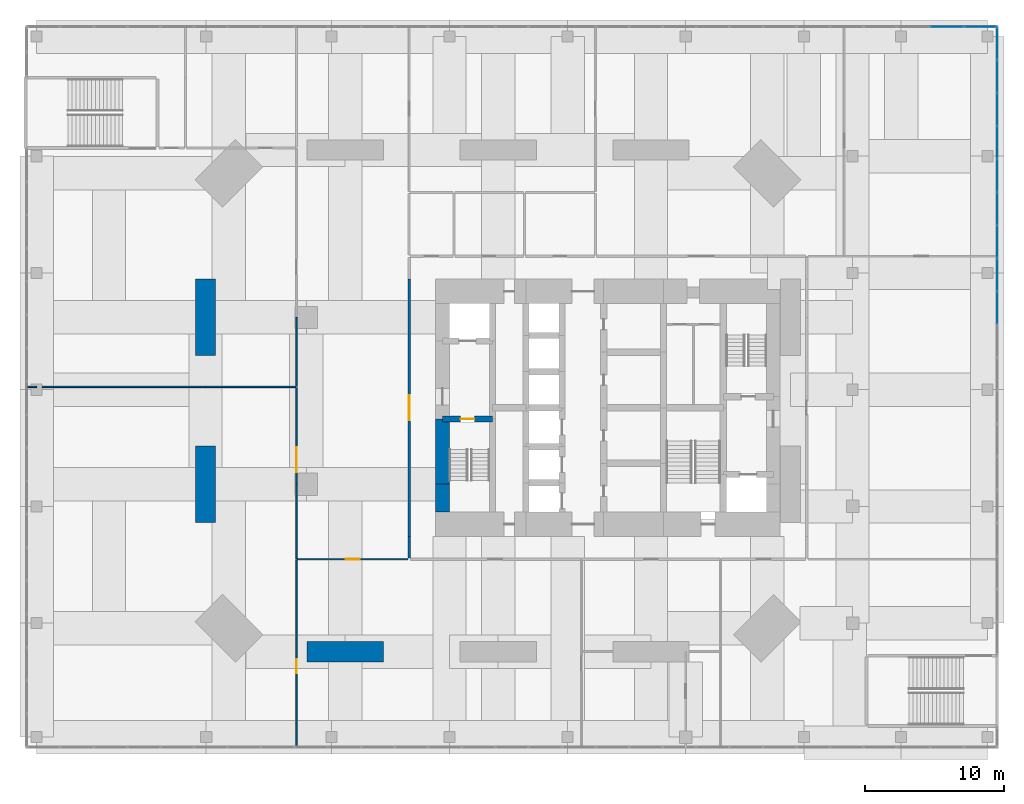
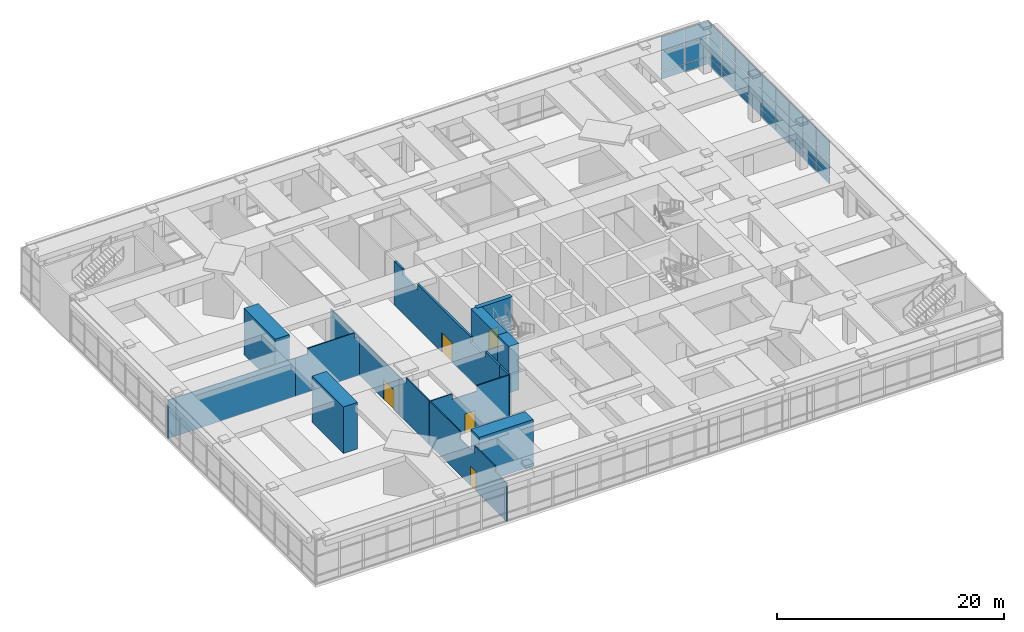
# One storey, part 17 of 22: 33 plates, 16 walls, 5 doors, 5 openings, 2 elements without a shape of their own.
"""IFC4 building model written with IfcOpenShell, lengths in metres."""

from ifc_helpers import new_model, si_unit, direction, frame, frame_2d, origin, origin_2d, place, context, subcontext, project, spatial, polyline, rectangle, outline, extrude, material, layer, layer_set, constituent, constituent_set, type_object, element, fill, aggregate, save


model = new_model("IFC4")

# Units and contexts
model_context = context("Model", 3, precision=1e-05, world=origin(), true_north=direction((0.0, 1.0)))
body_context = subcontext(model_context, "Body", "Model", "MODEL_VIEW")
ifc_project = project(units=[si_unit("LENGTHUNIT", "METRE"), si_unit("AREAUNIT", "SQUARE_METRE"), si_unit("VOLUMEUNIT", "CUBIC_METRE"), si_unit("PLANEANGLEUNIT", "RADIAN"), si_unit("MASSUNIT", "GRAM", prefix="KILO")], contexts=[model_context])

# Site, building, storey
site_placement = place(None, origin())
site = spatial("IfcSite", under=ifc_project, at=site_placement, CompositionType="ELEMENT")
building_placement = place(site_placement, origin())
building = spatial("IfcBuilding", under=site, at=building_placement, Name="Jalousie Tower", CompositionType="ELEMENT")
storey_placement = place(building_placement, frame((0.0, 0.0, 6.0)))
storey = spatial("IfcBuildingStorey", under=building, at=storey_placement, Name="L01", CompositionType="ELEMENT", Elevation=6.0)

# Curtain wall, plates
ifc_material_1 = material(Name="Aluminium curtain wall", Category="aluminium")
curtain_wall_type = type_object("IfcCurtainWallType", Name="PODIUM WINDOW WALL", PredefinedType="USERDEFINED", material=ifc_material_1)
curtain_wall_1_placement = place(storey_placement, origin())
curtain_wall_1 = element("IfcCurtainWall", 1, at=curtain_wall_1_placement, inside=storey, type_object=curtain_wall_type, Name="Podium Window Wall L01 13", ObjectType="PODIUM WINDOW WALL", PredefinedType="USERDEFINED")
ifc_material_2 = material(Name="Laminated impact-rated glass", Category="glass")
ifc_layer_1 = layer(ifc_material_2, 0.030029296875)
ifc_layer_set_1 = layer_set([ifc_layer_1], Name="Laminated impact-rated glass")
plate_type = type_object("IfcPlateType", Name="PODIUM WINDOW WALL PANEL", PredefinedType="CURTAIN_PANEL", material=ifc_layer_set_1)
plate_1_placement = place(storey_placement, frame((59.91259765625, 25.685791015625, 0.070068359375), z_axis=(0.0, 0.0, 1.0), x_axis=(0.0, 1.0, 0.0)))
plate_1 = element("IfcPlate", 2, at=plate_1_placement, type_object=plate_type, Name="CW-P panel 11.1", PredefinedType="CURTAIN_PANEL", context=body_context, shape_type="SweptSolid", body=[
    extrude(rectangle(XDim=2.3095703125, YDim=0.030029296875, at=origin_2d()), origin(), (0.0, 0.0, 1.0), 0.794921875),
])
plate_2_placement = place(storey_placement, frame((59.91259765625, 25.685791015625, 0.93505859375), z_axis=(0.0, 0.0, 1.0), x_axis=(0.0, 1.0, 0.0)))
plate_2 = element("IfcPlate", 3, at=plate_2_placement, type_object=plate_type, Name="CW-P panel 11.2", PredefinedType="CURTAIN_PANEL", context=body_context, shape_type="SweptSolid", body=[
    extrude(rectangle(XDim=2.3095703125, YDim=0.030029296875, at=origin_2d()), origin(), (0.0, 0.0, 1.0), 2.030029296875),
])
plate_3_placement = place(storey_placement, frame((59.91259765625, 25.685791015625, 3.03515625), z_axis=(0.0, 0.0, 1.0), x_axis=(0.0, 1.0, 0.0)))
plate_3 = element("IfcPlate", 4, at=plate_3_placement, type_object=plate_type, Name="CW-P panel 11.3", PredefinedType="CURTAIN_PANEL", context=body_context, shape_type="SweptSolid", body=[
    extrude(rectangle(XDim=2.3095703125, YDim=0.030029296875, at=origin_2d()), origin(), (0.0, 0.0, 1.0), 1.614990234375),
])
plate_4_placement = place(storey_placement, frame((59.91259765625, 28.0654296875, 0.070068359375), z_axis=(0.0, 0.0, 1.0), x_axis=(0.0, 1.0, 0.0)))
plate_4 = element("IfcPlate", 5, at=plate_4_placement, type_object=plate_type, Name="CW-P panel 12.1", PredefinedType="CURTAIN_PANEL", context=body_context, shape_type="SweptSolid", body=[
    extrude(rectangle(XDim=2.3095703125, YDim=0.030029296875, at=origin_2d()), origin(), (0.0, 0.0, 1.0), 0.794921875),
])
plate_5_placement = place(storey_placement, frame((59.91259765625, 28.0654296875, 0.93505859375), z_axis=(0.0, 0.0, 1.0), x_axis=(0.0, 1.0, 0.0)))
plate_5 = element("IfcPlate", 6, at=plate_5_placement, type_object=plate_type, Name="CW-P panel 12.2", PredefinedType="CURTAIN_PANEL", context=body_context, shape_type="SweptSolid", body=[
    extrude(rectangle(XDim=2.3095703125, YDim=0.030029296875, at=origin_2d()), origin(), (0.0, 0.0, 1.0), 2.030029296875),
])
plate_6_placement = place(storey_placement, frame((59.91259765625, 28.0654296875, 3.03515625), z_axis=(0.0, 0.0, 1.0), x_axis=(0.0, 1.0, 0.0)))
plate_6 = element("IfcPlate", 7, at=plate_6_placement, type_object=plate_type, Name="CW-P panel 12.3", PredefinedType="CURTAIN_PANEL", context=body_context, shape_type="SweptSolid", body=[
    extrude(rectangle(XDim=2.3095703125, YDim=0.030029296875, at=origin_2d()), origin(), (0.0, 0.0, 1.0), 1.614990234375),
])
plate_7_placement = place(storey_placement, frame((59.91259765625, 30.445068359375, 0.070068359375), z_axis=(0.0, 0.0, 1.0), x_axis=(0.0, 1.0, 0.0)))
plate_7 = element("IfcPlate", 8, at=plate_7_placement, type_object=plate_type, Name="CW-P panel 13.1", PredefinedType="CURTAIN_PANEL", context=body_context, shape_type="SweptSolid", body=[
    extrude(rectangle(XDim=2.3095703125, YDim=0.030029296875, at=origin_2d()), origin(), (0.0, 0.0, 1.0), 0.794921875),
])
plate_8_placement = place(storey_placement, frame((59.91259765625, 30.445068359375, 0.93505859375), z_axis=(0.0, 0.0, 1.0), x_axis=(0.0, 1.0, 0.0)))
plate_8 = element("IfcPlate", 9, at=plate_8_placement, type_object=plate_type, Name="CW-P panel 13.2", PredefinedType="CURTAIN_PANEL", context=body_context, shape_type="SweptSolid", body=[
    extrude(rectangle(XDim=2.3095703125, YDim=0.030029296875, at=origin_2d()), origin(), (0.0, 0.0, 1.0), 2.030029296875),
])
plate_9_placement = place(storey_placement, frame((59.91259765625, 30.445068359375, 3.03515625), z_axis=(0.0, 0.0, 1.0), x_axis=(0.0, 1.0, 0.0)))
plate_9 = element("IfcPlate", 10, at=plate_9_placement, type_object=plate_type, Name="CW-P panel 13.3", PredefinedType="CURTAIN_PANEL", context=body_context, shape_type="SweptSolid", body=[
    extrude(rectangle(XDim=2.3095703125, YDim=0.030029296875, at=origin_2d()), origin(), (0.0, 0.0, 1.0), 1.614990234375),
])
plate_10_placement = place(storey_placement, frame((59.91259765625, 32.82470703125, 0.070068359375), z_axis=(0.0, 0.0, 1.0), x_axis=(0.0, 1.0, 0.0)))
plate_10 = element("IfcPlate", 11, at=plate_10_placement, type_object=plate_type, Name="CW-P panel 14.1", PredefinedType="CURTAIN_PANEL", context=body_context, shape_type="SweptSolid", body=[
    extrude(rectangle(XDim=2.3095703125, YDim=0.030029296875, at=origin_2d()), origin(), (0.0, 0.0, 1.0), 0.794921875),
])
plate_11_placement = place(storey_placement, frame((59.91259765625, 32.82470703125, 0.93505859375), z_axis=(0.0, 0.0, 1.0), x_axis=(0.0, 1.0, 0.0)))
plate_11 = element("IfcPlate", 12, at=plate_11_placement, type_object=plate_type, Name="CW-P panel 14.2", PredefinedType="CURTAIN_PANEL", context=body_context, shape_type="SweptSolid", body=[
    extrude(rectangle(XDim=2.3095703125, YDim=0.030029296875, at=origin_2d()), origin(), (0.0, 0.0, 1.0), 2.030029296875),
])
plate_12_placement = place(storey_placement, frame((59.91259765625, 32.82470703125, 3.03515625), z_axis=(0.0, 0.0, 1.0), x_axis=(0.0, 1.0, 0.0)))
plate_12 = element("IfcPlate", 13, at=plate_12_placement, type_object=plate_type, Name="CW-P panel 14.3", PredefinedType="CURTAIN_PANEL", context=body_context, shape_type="SweptSolid", body=[
    extrude(rectangle(XDim=2.3095703125, YDim=0.030029296875, at=origin_2d()), origin(), (0.0, 0.0, 1.0), 1.614990234375),
])
plate_13_placement = place(storey_placement, frame((59.91259765625, 35.204345703125, 0.070068359375), z_axis=(0.0, 0.0, 1.0), x_axis=(0.0, 1.0, 0.0)))
plate_13 = element("IfcPlate", 14, at=plate_13_placement, type_object=plate_type, Name="CW-P panel 15.1", PredefinedType="CURTAIN_PANEL", context=body_context, shape_type="SweptSolid", body=[
    extrude(rectangle(XDim=2.3095703125, YDim=0.030029296875, at=origin_2d()), origin(), (0.0, 0.0, 1.0), 0.794921875),
])
plate_14_placement = place(storey_placement, frame((59.91259765625, 35.204345703125, 0.93505859375), z_axis=(0.0, 0.0, 1.0), x_axis=(0.0, 1.0, 0.0)))
plate_14 = element("IfcPlate", 15, at=plate_14_placement, type_object=plate_type, Name="CW-P panel 15.2", PredefinedType="CURTAIN_PANEL", context=body_context, shape_type="SweptSolid", body=[
    extrude(rectangle(XDim=2.3095703125, YDim=0.030029296875, at=origin_2d()), origin(), (0.0, 0.0, 1.0), 2.030029296875),
])
plate_15_placement = place(storey_placement, frame((59.91259765625, 35.204345703125, 3.03515625), z_axis=(0.0, 0.0, 1.0), x_axis=(0.0, 1.0, 0.0)))
plate_15 = element("IfcPlate", 16, at=plate_15_placement, type_object=plate_type, Name="CW-P panel 15.3", PredefinedType="CURTAIN_PANEL", context=body_context, shape_type="SweptSolid", body=[
    extrude(rectangle(XDim=2.3095703125, YDim=0.030029296875, at=origin_2d()), origin(), (0.0, 0.0, 1.0), 1.614990234375),
])
plate_16_placement = place(storey_placement, frame((59.91259765625, 37.583984375, 0.070068359375), z_axis=(0.0, 0.0, 1.0), x_axis=(0.0, 1.0, 0.0)))
plate_16 = element("IfcPlate", 17, at=plate_16_placement, type_object=plate_type, Name="CW-P panel 16.1", PredefinedType="CURTAIN_PANEL", context=body_context, shape_type="SweptSolid", body=[
    extrude(rectangle(XDim=2.3095703125, YDim=0.030029296875, at=origin_2d()), origin(), (0.0, 0.0, 1.0), 0.794921875),
])
plate_17_placement = place(storey_placement, frame((59.91259765625, 37.583984375, 0.93505859375), z_axis=(0.0, 0.0, 1.0), x_axis=(0.0, 1.0, 0.0)))
plate_17 = element("IfcPlate", 18, at=plate_17_placement, type_object=plate_type, Name="CW-P panel 16.2", PredefinedType="CURTAIN_PANEL", context=body_context, shape_type="SweptSolid", body=[
    extrude(rectangle(XDim=2.3095703125, YDim=0.030029296875, at=origin_2d()), origin(), (0.0, 0.0, 1.0), 2.030029296875),
])
plate_18_placement = place(storey_placement, frame((59.91259765625, 37.583984375, 3.03515625), z_axis=(0.0, 0.0, 1.0), x_axis=(0.0, 1.0, 0.0)))
plate_18 = element("IfcPlate", 19, at=plate_18_placement, type_object=plate_type, Name="CW-P panel 16.3", PredefinedType="CURTAIN_PANEL", context=body_context, shape_type="SweptSolid", body=[
    extrude(rectangle(XDim=2.3095703125, YDim=0.030029296875, at=origin_2d()), origin(), (0.0, 0.0, 1.0), 1.614990234375),
])
plate_19_placement = place(storey_placement, frame((59.91259765625, 39.96337890625, 0.070068359375), z_axis=(0.0, 0.0, 1.0), x_axis=(0.0, 1.0, 0.0)))
plate_19 = element("IfcPlate", 20, at=plate_19_placement, type_object=plate_type, Name="CW-P panel 17.1", PredefinedType="CURTAIN_PANEL", context=body_context, shape_type="SweptSolid", body=[
    extrude(rectangle(XDim=2.3095703125, YDim=0.030029296875, at=origin_2d()), origin(), (0.0, 0.0, 1.0), 0.794921875),
])
plate_20_placement = place(storey_placement, frame((59.91259765625, 39.96337890625, 0.93505859375), z_axis=(0.0, 0.0, 1.0), x_axis=(0.0, 1.0, 0.0)))
plate_20 = element("IfcPlate", 21, at=plate_20_placement, type_object=plate_type, Name="CW-P panel 17.2", PredefinedType="CURTAIN_PANEL", context=body_context, shape_type="SweptSolid", body=[
    extrude(rectangle(XDim=2.3095703125, YDim=0.030029296875, at=origin_2d()), origin(), (0.0, 0.0, 1.0), 2.030029296875),
])
plate_21_placement = place(storey_placement, frame((59.91259765625, 39.96337890625, 3.03515625), z_axis=(0.0, 0.0, 1.0), x_axis=(0.0, 1.0, 0.0)))
plate_21 = element("IfcPlate", 22, at=plate_21_placement, type_object=plate_type, Name="CW-P panel 17.3", PredefinedType="CURTAIN_PANEL", context=body_context, shape_type="SweptSolid", body=[
    extrude(rectangle(XDim=2.3095703125, YDim=0.030029296875, at=origin_2d()), origin(), (0.0, 0.0, 1.0), 1.614990234375),
])
plate_22_placement = place(storey_placement, frame((59.91259765625, 42.343017578125, 0.070068359375), z_axis=(0.0, 0.0, 1.0), x_axis=(0.0, 1.0, 0.0)))
plate_22 = element("IfcPlate", 23, at=plate_22_placement, type_object=plate_type, Name="CW-P panel 18.1", PredefinedType="CURTAIN_PANEL", context=body_context, shape_type="SweptSolid", body=[
    extrude(rectangle(XDim=2.3095703125, YDim=0.030029296875, at=origin_2d()), origin(), (0.0, 0.0, 1.0), 0.794921875),
])
plate_23_placement = place(storey_placement, frame((59.91259765625, 42.343017578125, 0.93505859375), z_axis=(0.0, 0.0, 1.0), x_axis=(0.0, 1.0, 0.0)))
plate_23 = element("IfcPlate", 24, at=plate_23_placement, type_object=plate_type, Name="CW-P panel 18.2", PredefinedType="CURTAIN_PANEL", context=body_context, shape_type="SweptSolid", body=[
    extrude(rectangle(XDim=2.3095703125, YDim=0.030029296875, at=origin_2d()), origin(), (0.0, 0.0, 1.0), 2.030029296875),
])
plate_24_placement = place(storey_placement, frame((59.91259765625, 42.343017578125, 3.03515625), z_axis=(0.0, 0.0, 1.0), x_axis=(0.0, 1.0, 0.0)))
plate_24 = element("IfcPlate", 25, at=plate_24_placement, type_object=plate_type, Name="CW-P panel 18.3", PredefinedType="CURTAIN_PANEL", context=body_context, shape_type="SweptSolid", body=[
    extrude(rectangle(XDim=2.3095703125, YDim=0.030029296875, at=origin_2d()), origin(), (0.0, 0.0, 1.0), 1.614990234375),
])
plate_25_placement = place(storey_placement, frame((59.91259765625, 44.705078125, 0.070068359375), z_axis=(0.0, 0.0, 1.0), x_axis=(0.0, 1.0, 0.0)))
plate_25 = element("IfcPlate", 26, at=plate_25_placement, type_object=plate_type, Name="CW-P panel 19.1", PredefinedType="CURTAIN_PANEL", context=body_context, shape_type="SweptSolid", body=[
    extrude(rectangle(XDim=2.274658203125, YDim=0.030029296875, at=origin_2d()), origin(), (0.0, 0.0, 1.0), 0.794921875),
])
plate_26_placement = place(storey_placement, frame((59.91259765625, 44.705078125, 0.93505859375), z_axis=(0.0, 0.0, 1.0), x_axis=(0.0, 1.0, 0.0)))
plate_26 = element("IfcPlate", 27, at=plate_26_placement, type_object=plate_type, Name="CW-P panel 19.2", PredefinedType="CURTAIN_PANEL", context=body_context, shape_type="SweptSolid", body=[
    extrude(rectangle(XDim=2.274658203125, YDim=0.030029296875, at=origin_2d()), origin(), (0.0, 0.0, 1.0), 2.030029296875),
])
plate_27_placement = place(storey_placement, frame((59.91259765625, 44.705078125, 3.03515625), z_axis=(0.0, 0.0, 1.0), x_axis=(0.0, 1.0, 0.0)))
plate_27 = element("IfcPlate", 28, at=plate_27_placement, type_object=plate_type, Name="CW-P panel 19.3", PredefinedType="CURTAIN_PANEL", context=body_context, shape_type="SweptSolid", body=[
    extrude(rectangle(XDim=2.274658203125, YDim=0.030029296875, at=origin_2d()), origin(), (0.0, 0.0, 1.0), 1.614990234375),
])
aggregate(curtain_wall_1, [plate_1, plate_2, plate_3, plate_4, plate_5, plate_6, plate_7, plate_8, plate_9, plate_10, plate_11, plate_12, plate_13, plate_14, plate_15, plate_16, plate_17, plate_18, plate_19, plate_20, plate_21, plate_22, plate_23, plate_24, plate_25, plate_26, plate_27])

curtain_wall_2_placement = place(storey_placement, origin())
curtain_wall_2 = element("IfcCurtainWall", 29, at=curtain_wall_2_placement, inside=storey, type_object=curtain_wall_type, Name="Podium Window Wall L01 21", ObjectType="PODIUM WINDOW WALL", PredefinedType="USERDEFINED")
plate_28_placement = place(storey_placement, frame((58.691162109375, 45.91259765625, 0.070068359375), z_axis=(0.0, 0.0, 1.0), x_axis=(-1.0, 0.0, 0.0)))
plate_28 = element("IfcPlate", 30, at=plate_28_placement, type_object=plate_type, Name="CW-P panel 1.1", PredefinedType="CURTAIN_PANEL", context=body_context, shape_type="SweptSolid", body=[
    extrude(rectangle(XDim=2.302734375, YDim=0.030029296875, at=origin_2d()), origin(), (0.0, 0.0, 1.0), 0.794921875),
])
plate_29_placement = place(storey_placement, frame((58.691162109375, 45.91259765625, 0.93505859375), z_axis=(0.0, 0.0, 1.0), x_axis=(-1.0, 0.0, 0.0)))
plate_29 = element("IfcPlate", 31, at=plate_29_placement, type_object=plate_type, Name="CW-P panel 1.2", PredefinedType="CURTAIN_PANEL", context=body_context, shape_type="SweptSolid", body=[
    extrude(rectangle(XDim=2.302734375, YDim=0.030029296875, at=origin_2d()), origin(), (0.0, 0.0, 1.0), 2.030029296875),
])
plate_30_placement = place(storey_placement, frame((58.691162109375, 45.91259765625, 3.03515625), z_axis=(0.0, 0.0, 1.0), x_axis=(-1.0, 0.0, 0.0)))
plate_30 = element("IfcPlate", 32, at=plate_30_placement, type_object=plate_type, Name="CW-P panel 1.3", PredefinedType="CURTAIN_PANEL", context=body_context, shape_type="SweptSolid", body=[
    extrude(rectangle(XDim=2.302734375, YDim=0.030029296875, at=origin_2d()), origin(), (0.0, 0.0, 1.0), 1.614990234375),
])
plate_31_placement = place(storey_placement, frame((56.30078125, 45.91259765625, 0.070068359375), z_axis=(0.0, 0.0, 1.0), x_axis=(-1.0, 0.0, 0.0)))
plate_31 = element("IfcPlate", 33, at=plate_31_placement, type_object=plate_type, Name="CW-P panel 2.1", PredefinedType="CURTAIN_PANEL", context=body_context, shape_type="SweptSolid", body=[
    extrude(rectangle(XDim=2.337646484375, YDim=0.030029296875, at=origin_2d()), origin(), (0.0, 0.0, 1.0), 0.794921875),
])
plate_32_placement = place(storey_placement, frame((56.30078125, 45.91259765625, 0.93505859375), z_axis=(0.0, 0.0, 1.0), x_axis=(-1.0, 0.0, 0.0)))
plate_32 = element("IfcPlate", 34, at=plate_32_placement, type_object=plate_type, Name="CW-P panel 2.2", PredefinedType="CURTAIN_PANEL", context=body_context, shape_type="SweptSolid", body=[
    extrude(rectangle(XDim=2.337646484375, YDim=0.030029296875, at=origin_2d()), origin(), (0.0, 0.0, 1.0), 2.030029296875),
])
plate_33_placement = place(storey_placement, frame((56.30078125, 45.91259765625, 3.03515625), z_axis=(0.0, 0.0, 1.0), x_axis=(-1.0, 0.0, 0.0)))
plate_33 = element("IfcPlate", 35, at=plate_33_placement, type_object=plate_type, Name="CW-P panel 2.3", PredefinedType="CURTAIN_PANEL", context=body_context, shape_type="SweptSolid", body=[
    extrude(rectangle(XDim=2.337646484375, YDim=0.030029296875, at=origin_2d()), origin(), (0.0, 0.0, 1.0), 1.614990234375),
])
aggregate(curtain_wall_2, [plate_28, plate_29, plate_30, plate_31, plate_32, plate_33])

# Walls
ifc_material_3 = material(Name="Concrete f'c 120 MPa", Category="concrete")
ifc_layer_2 = layer(ifc_material_3, 1.0)
ifc_layer_set_2 = layer_set([ifc_layer_2], Name="Concrete f'c 120 MPa")
wall_type_1 = type_object("IfcWallType", Name="CORE WALL 1000", PredefinedType="SHEAR", material=ifc_layer_set_2)
wall_1_placement = place(storey_placement, frame((20.0, 17.699951171875, 0.0), z_axis=(0.0, 0.0, 1.0), x_axis=(0.0, -1.0, 0.0)))
element("IfcWall", 36, at=wall_1_placement, inside=storey, type_object=wall_type_1, Name="Core wall WC L01", PredefinedType="SHEAR", context=body_context, shape_type="SweptSolid", body=[
    extrude(rectangle(XDim=4.699951171875, YDim=1.0, at=frame_2d((2.35009765625, 0.0))), origin(), (0.0, 0.0, 1.0), 5.0),
])
wall_2_placement = place(storey_placement, frame((20.0, 13.0, 0.0), z_axis=(0.0, 0.0, 1.0), x_axis=(0.0, -1.0, 0.0)))
element("IfcWall", 37, at=wall_2_placement, inside=storey, type_object=wall_type_1, Name="Core wall WD L01", PredefinedType="SHEAR", context=body_context, shape_type="SweptSolid", body=[
    extrude(rectangle(XDim=2.0, YDim=1.0, at=frame_2d((1.0, 0.0))), origin(), (0.0, 0.0, 1.0), 5.0),
])

# Wall, opening, door
ifc_material_4 = material(Name="Concrete f'c 120 MPa", Category="concrete")
ifc_layer_3 = layer(ifc_material_4, 0.449951171875)
ifc_layer_set_3 = layer_set([ifc_layer_3], Name="Concrete f'c 120 MPa")
wall_type_2 = type_object("IfcWallType", Name="CORE WALL 450", PredefinedType="SHEAR", material=ifc_layer_set_3)
wall_3_placement = place(storey_placement, frame((20.0, 17.699951171875, 0.0), z_axis=(0.0, 0.0, 1.0), x_axis=(1.0, 0.0, 0.0)))
wall_3 = element("IfcWall", 38, at=wall_3_placement, inside=storey, type_object=wall_type_2, Name="Core wall Y20-17.7 L01", PredefinedType="SHEAR", context=body_context, shape_type="SweptSolid", body=[
    extrude(rectangle(XDim=3.60009765625, YDim=0.449951171875, at=frame_2d((1.800048828125, 0.0))), origin(), (0.0, 0.0, 1.0), 5.0),
])
opening_1_placement = place(wall_3_placement, frame((1.300048828125, 0.0, 0.0)))
opening_1 = element("IfcOpeningElement", 39, at=opening_1_placement, cuts=wall_3, Name="Opening D10", PredefinedType="OPENING", context=body_context, shape_type="SweptSolid", body=[
    extrude(rectangle(XDim=1.0, YDim=2.10009765625, at=frame_2d((0.5, 1.050048828125))), frame((0.0, 0.23486328125, 0.0), z_axis=(0.0, -1.0, 0.0), x_axis=(1.0, 0.0, 0.0)), (0.0, 0.0, 1.0), 0.469970703125),
])
ifc_material_5 = material(Name="Steel fire door", Category="steel")
door_type_1 = type_object("IfcDoorType", Name="STAIR DOOR 1000", OperationType="SINGLE_SWING_LEFT", PredefinedType="DOOR", material=ifc_material_5)
door_1_placement = place(opening_1_placement, frame((1.0, 0.0, 0.0), z_axis=(0.0, 0.0, 1.0), x_axis=(-1.0, 0.0, 0.0)))
door_1 = element("IfcDoor", 40, at=door_1_placement, inside=storey, type_object=door_type_1, Name="Exit stair A door", OperationType="SINGLE_SWING_RIGHT", OverallHeight=2.10009765625, OverallWidth=1.0, PredefinedType="DOOR", context=body_context, shape_type="SweptSolid", body=[
    extrude(rectangle(XDim=1.0, YDim=2.10009765625, at=frame_2d((0.5, 1.050048828125))), frame((0.0, 0.02490234375, 0.0), z_axis=(0.0, -1.0, 0.0), x_axis=(1.0, 0.0, 0.0)), (0.0, 0.0, 1.0), 0.050048828125),
])
fill(opening_1, door_1)

# Wall
ifc_material_6 = material(Name="Concrete block ASTM C90", Category="concrete")
ifc_constituent_1 = constituent(ifc_material_6, Name="Body")
ifc_material_7 = material(Name="Render")
ifc_constituent_2 = constituent(ifc_material_7, Name="Finish")
ifc_constituent_set_1 = constituent_set(constituents=[ifc_constituent_1, ifc_constituent_2])
wall_type_3 = type_object("IfcWallType", Name="CORRIDOR WALL 200", PredefinedType="PARTITIONING", material=ifc_constituent_set_1)
wall_4_placement = place(storey_placement, frame((17.60009765625, 7.699951171875, 0.0), z_axis=(0.0, 0.0, 1.0), x_axis=(0.0, 1.0, 0.0)))
element("IfcWall", 41, at=wall_4_placement, inside=storey, type_object=wall_type_3, Name="Corridor Wall 200 L01", PredefinedType="PARTITIONING", context=body_context, shape_type="SweptSolid", body=[
    extrude(rectangle(XDim=1.550048828125, YDim=0.199951171875, at=frame_2d((0.77490234375, 0.0))), origin(), (0.0, 0.0, 1.0), 4.719970703125),
])

# Wall, opening, door
wall_5_placement = place(storey_placement, frame((17.60009765625, 9.25, 0.0), z_axis=(0.0, 0.0, 1.0), x_axis=(0.0, 1.0, 0.0)))
wall_5 = element("IfcWall", 42, at=wall_5_placement, inside=storey, type_object=wall_type_3, Name="Corridor Wall 200 L01", PredefinedType="PARTITIONING", context=body_context, shape_type="SweptSolid", body=[
    extrude(outline(polyline([(0.0, 0.0), (18.5, 0.0), (18.5, 4.719970703125), (17.06005859375, 4.719970703125), (17.06005859375, 4.1201171875), (14.43994140625, 4.1201171875), (14.43994140625, 4.719970703125), (5.06005859375, 4.719970703125), (5.06005859375, 4.1201171875), (2.43994140625, 4.1201171875), (2.43994140625, 4.719970703125), (0.0, 4.719970703125), (0.0, 0.0)])), frame((0.0, 0.10009765625, 0.0), z_axis=(0.0, -1.0, 0.0), x_axis=(1.0, 0.0, 0.0)), (0.0, 0.0, 1.0), 0.199951171875),
])
opening_2_placement = place(wall_5_placement, frame((8.35009765625, 0.0, 0.0)))
opening_2 = element("IfcOpeningElement", 43, at=opening_2_placement, cuts=wall_5, Name="Opening D22", PredefinedType="OPENING", context=body_context, shape_type="SweptSolid", body=[
    extrude(rectangle(XDim=1.800048828125, YDim=2.10009765625, at=frame_2d((0.89990234375, 1.050048828125))), frame((0.0, 0.10986328125, 0.0), z_axis=(0.0, -1.0, 0.0), x_axis=(1.0, 0.0, 0.0)), (0.0, 0.0, 1.0), 0.219970703125),
])
ifc_material_8 = material(Name="Timber fire door", Category="wood")
door_type_2 = type_object("IfcDoorType", Name="CORRIDOR DOUBLE DOOR 1800", OperationType="DOUBLE_DOOR_SINGLE_SWING", PredefinedType="DOOR", material=ifc_material_8)
door_2_placement = place(opening_2_placement, origin())
door_2 = element("IfcDoor", 44, at=door_2_placement, inside=storey, type_object=door_type_2, Name="Lounge door", OperationType="DOUBLE_DOOR_SINGLE_SWING", OverallHeight=2.10009765625, OverallWidth=1.800048828125, PredefinedType="DOOR", context=body_context, shape_type="SweptSolid", body=[
    extrude(rectangle(XDim=1.800048828125, YDim=2.10009765625, at=frame_2d((0.89990234375, 1.050048828125))), frame((0.0, 0.02490234375, 0.0), z_axis=(0.0, -1.0, 0.0), x_axis=(1.0, 0.0, 0.0)), (0.0, 0.0, 1.0), 0.050048828125),
])
fill(opening_2, door_2)

# Walls
ifc_material_9 = material(Name="Gypsum board", Category="gypsum")
ifc_constituent_3 = constituent(ifc_material_9, Name="Body")
ifc_material_10 = material(Name="Light-gauge steel studs ASTM A653 SS Grade 33", Category="steel")
ifc_constituent_4 = constituent(ifc_material_10, Name="Framing")
ifc_constituent_set_2 = constituent_set(constituents=[ifc_constituent_3, ifc_constituent_4])
wall_type_4 = type_object("IfcWallType", Name="PARTITION 100", PredefinedType="PARTITIONING", material=ifc_constituent_set_2)
wall_6_placement = place(storey_placement, frame((-10.0, 20.0, 0.0), z_axis=(0.0, 0.0, 1.0), x_axis=(1.0, 0.0, 0.0)))
element("IfcWall", 45, at=wall_6_placement, inside=storey, type_object=wall_type_4, Name="Partition 100 L01-A", PredefinedType="PARTITIONING", context=body_context, shape_type="SweptSolid", body=[
    extrude(rectangle(XDim=0.800048828125, YDim=0.10009765625, at=frame_2d((0.39990234375, 0.0))), origin(), (0.0, 0.0, 1.0), 4.1201171875),
])
wall_7_placement = place(storey_placement, frame((-9.199951171875, 20.0, 0.0), z_axis=(0.0, 0.0, 1.0), x_axis=(1.0, 0.0, 0.0)))
element("IfcWall", 46, at=wall_7_placement, inside=storey, type_object=wall_type_4, Name="Partition 100 L01-B", PredefinedType="PARTITIONING", context=body_context, shape_type="SweptSolid", body=[
    extrude(rectangle(XDim=12.14990234375, YDim=0.10009765625, at=frame_2d((6.074951171875, 0.0))), origin(), (0.0, 0.0, 1.0), 4.1201171875),
])
wall_8_placement = place(storey_placement, frame((2.949951171875, 20.0, 0.0), z_axis=(0.0, 0.0, 1.0), x_axis=(1.0, 0.0, 0.0)))
element("IfcWall", 47, at=wall_8_placement, inside=storey, type_object=wall_type_4, Name="Partition 100 L01-C", PredefinedType="PARTITIONING", context=body_context, shape_type="SweptSolid", body=[
    extrude(outline(polyline([(0.0, 0.0), (6.5, 0.0), (6.5, 4.1201171875), (5.989990234375, 4.1201171875), (5.989990234375, 4.719970703125), (1.260009765625, 4.719970703125), (1.260009765625, 4.1201171875), (0.0, 4.1201171875), (0.0, 0.0)])), frame((0.0, 0.050048828125, 0.0), z_axis=(0.0, -1.0, 0.0), x_axis=(1.0, 0.0, 0.0)), (0.0, 0.0, 1.0), 0.10009765625),
])
wall_9_placement = place(storey_placement, frame((9.5, 7.64990234375, 0.0), z_axis=(0.0, 0.0, 1.0), x_axis=(0.0, 1.0, 0.0)))
element("IfcWall", 48, at=wall_9_placement, inside=storey, type_object=wall_type_4, Name="Partition 100 L01-A", PredefinedType="PARTITIONING", context=body_context, shape_type="SweptSolid", body=[
    extrude(outline(polyline([(0.0, 0.0), (5.35009765625, 0.0), (5.35009765625, 4.1201171875), (4.090087890625, 4.1201171875), (4.090087890625, 4.719970703125), (0.0, 4.719970703125), (0.0, 0.0)])), frame((0.0, 0.050048828125, 0.0), z_axis=(0.0, -1.0, 0.0), x_axis=(1.0, 0.0, 0.0)), (0.0, 0.0, 1.0), 0.10009765625),
])

# Wall, opening, door
wall_10_placement = place(storey_placement, frame((9.5, 13.0, 0.0), z_axis=(0.0, 0.0, 1.0), x_axis=(0.0, 1.0, 0.0)))
wall_10 = element("IfcWall", 49, at=wall_10_placement, inside=storey, type_object=wall_type_4, Name="Partition 100 L01-B", PredefinedType="PARTITIONING", context=body_context, shape_type="SweptSolid", body=[
    extrude(rectangle(XDim=6.949951171875, YDim=0.10009765625, at=frame_2d((3.47509765625, 0.0))), origin(), (0.0, 0.0, 1.0), 4.1201171875),
])
opening_3_placement = place(wall_10_placement, frame((0.85009765625, 0.0, 0.0)))
opening_3 = element("IfcOpeningElement", 50, at=opening_3_placement, cuts=wall_10, Name="Opening D5", PredefinedType="OPENING", context=body_context, shape_type="SweptSolid", body=[
    extrude(rectangle(XDim=1.800048828125, YDim=2.10009765625, at=frame_2d((0.89990234375, 1.050048828125))), frame((0.0, 0.06005859375, 0.0), z_axis=(0.0, -1.0, 0.0), x_axis=(1.0, 0.0, 0.0)), (0.0, 0.0, 1.0), 0.1201171875),
])
ifc_material_11 = material(Name="Timber door", Category="wood")
door_type_3 = type_object("IfcDoorType", Name="DOUBLE DOOR 1800", OperationType="DOUBLE_DOOR_SINGLE_SWING", PredefinedType="DOOR", material=ifc_material_11)
door_3_placement = place(opening_3_placement, frame((1.800048828125, 0.0, 0.0), z_axis=(0.0, 0.0, 1.0), x_axis=(-1.0, 0.0, 0.0)))
door_3 = element("IfcDoor", 51, at=door_3_placement, inside=storey, type_object=door_type_3, Name="Fitness centre door", OperationType="DOUBLE_DOOR_SINGLE_SWING", OverallHeight=2.10009765625, OverallWidth=1.800048828125, PredefinedType="DOOR", context=body_context, shape_type="SweptSolid", body=[
    extrude(rectangle(XDim=1.800048828125, YDim=2.10009765625, at=frame_2d((0.89990234375, 1.050048828125))), frame((0.0, 0.02490234375, 0.0), z_axis=(0.0, -1.0, 0.0), x_axis=(1.0, 0.0, 0.0)), (0.0, 0.0, 1.0), 0.050048828125),
])
fill(opening_3, door_3)

wall_11_placement = place(storey_placement, frame((9.5, -6.0, 0.0), z_axis=(0.0, 0.0, 1.0), x_axis=(0.0, 1.0, 0.0)))
wall_11 = element("IfcWall", 52, at=wall_11_placement, inside=storey, type_object=wall_type_4, Name="Partition 100 L01", PredefinedType="PARTITIONING", context=body_context, shape_type="SweptSolid", body=[
    extrude(outline(polyline([(0.0, 0.0), (13.550048828125, 0.0), (13.550048828125, 4.719970703125), (8.2099609375, 4.719970703125), (8.2099609375, 3.919921875), (5.68994140625, 3.919921875), (5.68994140625, 4.719970703125), (2.06005859375, 4.719970703125), (2.06005859375, 4.1201171875), (0.0, 4.1201171875), (0.0, 4.719970703125), (0.0, 0.0)])), frame((0.0, 0.050048828125, 0.0), z_axis=(0.0, -1.0, 0.0), x_axis=(1.0, 0.0, 0.0)), (0.0, 0.0, 1.0), 0.10009765625),
])
opening_4_placement = place(wall_11_placement, frame((5.39990234375, 0.0, 0.0)))
opening_4 = element("IfcOpeningElement", 53, at=opening_4_placement, cuts=wall_11, Name="Opening D6", PredefinedType="OPENING", context=body_context, shape_type="SweptSolid", body=[
    extrude(rectangle(XDim=1.0, YDim=2.10009765625, at=frame_2d((0.5, 1.050048828125))), frame((0.0, 0.06005859375, 0.0), z_axis=(0.0, -1.0, 0.0), x_axis=(1.0, 0.0, 0.0)), (0.0, 0.0, 1.0), 0.1201171875),
])
ifc_material_12 = material(Name="Timber door", Category="wood")
door_type_4 = type_object("IfcDoorType", Name="INTERNAL DOOR 1000", OperationType="SINGLE_SWING_LEFT", PredefinedType="DOOR", material=ifc_material_12)
door_4_placement = place(opening_4_placement, frame((1.0, 0.0, 0.0), z_axis=(0.0, 0.0, 1.0), x_axis=(-1.0, 0.0, 0.0)))
door_4 = element("IfcDoor", 54, at=door_4_placement, inside=storey, type_object=door_type_4, Name="Fitness centre second door", OperationType="SINGLE_SWING_RIGHT", OverallHeight=2.10009765625, OverallWidth=1.0, PredefinedType="DOOR", context=body_context, shape_type="SweptSolid", body=[
    extrude(rectangle(XDim=1.0, YDim=2.10009765625, at=frame_2d((0.5, 1.050048828125))), frame((0.0, 0.02490234375, 0.0), z_axis=(0.0, -1.0, 0.0), x_axis=(1.0, 0.0, 0.0)), (0.0, 0.0, 1.0), 0.050048828125),
])
fill(opening_4, door_4)

# Wall
wall_12_placement = place(storey_placement, frame((9.5, 20.050048828125, 0.0), z_axis=(0.0, 0.0, 1.0), x_axis=(0.0, 1.0, 0.0)))
element("IfcWall", 55, at=wall_12_placement, inside=storey, type_object=wall_type_4, Name="Partition 100 L01-A", PredefinedType="PARTITIONING", context=body_context, shape_type="SweptSolid", body=[
    extrude(rectangle(XDim=4.949951171875, YDim=0.10009765625, at=frame_2d((2.47509765625, 0.0))), origin(), (0.0, 0.0, 1.0), 4.1201171875),
])

# Wall, opening, door
wall_13_placement = place(storey_placement, frame((9.550048828125, 7.60009765625, 0.0), z_axis=(0.0, 0.0, 1.0), x_axis=(1.0, 0.0, 0.0)))
wall_13 = element("IfcWall", 56, at=wall_13_placement, inside=storey, type_object=wall_type_4, Name="Partition 100 L01", PredefinedType="PARTITIONING", context=body_context, shape_type="SweptSolid", body=[
    extrude(outline(polyline([(0.0, 0.0), (7.949951171875, 0.0), (7.949951171875, 4.719970703125), (4.7099609375, 4.719970703125), (4.7099609375, 4.1201171875), (2.18994140625, 4.1201171875), (2.18994140625, 4.719970703125), (0.0, 4.719970703125), (0.0, 0.0)])), frame((0.0, 0.050048828125, 0.0), z_axis=(0.0, -1.0, 0.0), x_axis=(1.0, 0.0, 0.0)), (0.0, 0.0, 1.0), 0.10009765625),
])
opening_5_placement = place(wall_13_placement, frame((3.5, 0.0, 0.0)))
opening_5 = element("IfcOpeningElement", 57, at=opening_5_placement, cuts=wall_13, Name="Opening D6", PredefinedType="OPENING", context=body_context, shape_type="SweptSolid", body=[
    extrude(rectangle(XDim=1.0, YDim=2.10009765625, at=frame_2d((0.5, 1.050048828125))), frame((0.0, 0.06005859375, 0.0), z_axis=(0.0, -1.0, 0.0), x_axis=(1.0, 0.0, 0.0)), (0.0, 0.0, 1.0), 0.1201171875),
])
door_5_placement = place(opening_5_placement, origin())
door_5 = element("IfcDoor", 58, at=door_5_placement, inside=storey, type_object=door_type_4, Name="Co-working room door", OperationType="SINGLE_SWING_RIGHT", OverallHeight=2.10009765625, OverallWidth=1.0, PredefinedType="DOOR", context=body_context, shape_type="SweptSolid", body=[
    extrude(rectangle(XDim=1.0, YDim=2.10009765625, at=frame_2d((0.5, 1.050048828125))), frame((0.0, 0.02490234375, 0.0), z_axis=(0.0, -1.0, 0.0), x_axis=(1.0, 0.0, 0.0)), (0.0, 0.0, 1.0), 0.050048828125),
])
fill(opening_5, door_5)

# Walls
ifc_material_13 = material(Name="Concrete f'c 120 MPa", Category="concrete")
ifc_layer_4 = layer(ifc_material_13, 1.449951171875)
ifc_layer_set_4 = layer_set([ifc_layer_4], Name="Concrete f'c 120 MPa")
wall_type_5 = type_object("IfcWallType", Name="RC WALL PIER 1450", PredefinedType="SHEAR", material=ifc_layer_set_4)
for number, where, z_axis, x_axis, name in (
    (59, (10.25, 0.949951171875, 0.0), (0.0, 0.0, 1.0), (1.0, 0.0, 0.0), "Wall pier 02 L01"),
    (60, (2.949951171875, 22.25, 0.0), (0.0, 0.0, 1.0), (0.0, 1.0, 0.0), "Wall pier 13 L01"),
    (61, (2.949951171875, 10.25, 0.0), (0.0, 0.0, 1.0), (0.0, 1.0, 0.0), "Wall pier 14 L01"),
):
    element("IfcWall", number, at=place(storey_placement, frame(where, z_axis=z_axis, x_axis=x_axis)), inside=storey, type_object=wall_type_5, Name=name, PredefinedType="SHEAR", context=body_context, shape_type="SweptSolid", body=[
        extrude(rectangle(XDim=5.5, YDim=1.449951171875, at=frame_2d((2.75, 0.0))), origin(), (0.0, 0.0, 1.0), 5.0),
    ])

save(model, "model.ifc")
